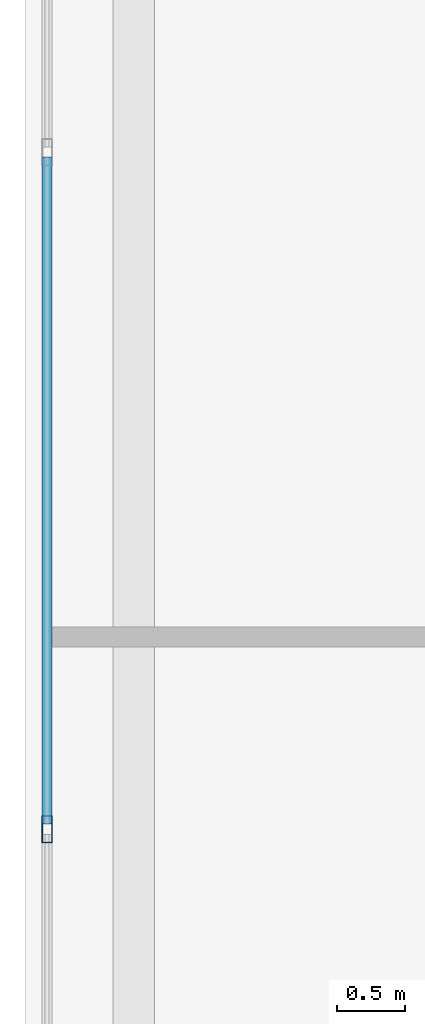
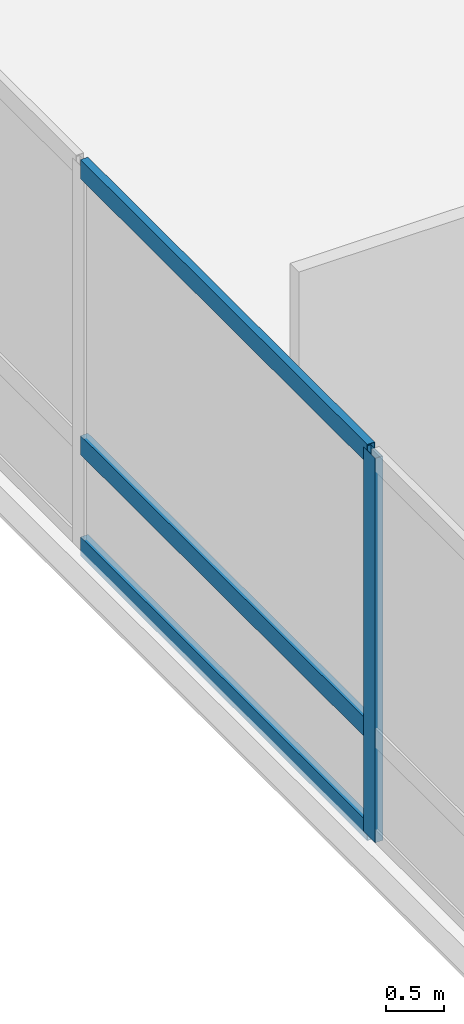
# One storey, part 6 of 31: 4 members, 1 element without a shape of its own.
"""IFC4 building model written with IfcOpenShell, lengths in metres."""

import ifcopenshell
import ifcopenshell.guid

model = None  # the IFC model being written
_history = None  # IfcOwnerHistory: only IFC2X3 demands one
_inside = {}  # id of a spatial element -> (the spatial element, [elements in it])
_under = {}  # id of a project, library or spatial element -> (it, [spatial elements below it])
_declared = {}  # id of a project -> (the project, [libraries it declares])
_typed = {}  # id of a type object -> (the type object, [elements of that type])
_made_of = {}  # id of a material, layer set ... -> (it, [elements and type objects made of it])


def new_model(schema):
    """Start an empty IFC model of exactly this schema.

    Asked for "IFC4X3", IfcOpenShell would pick the latest addendum, in which some entities
    have other attributes; the version numbers below select the first issue.
    IFC2X3 requires an IfcOwnerHistory on every rooted entity: one is made here for all.
    """
    global model, _history
    if schema == "IFC4X3":
        model = ifcopenshell.file(schema_version=(4, 3, 0, 0))
    else:
        model = ifcopenshell.file(schema=schema)
    _inside.clear()
    _under.clear()
    _declared.clear()
    _typed.clear()
    _made_of.clear()
    _history = None
    if model.schema == "IFC2X3":
        org = make("IfcOrganization", Name="unknown")
        user = make(
            "IfcPersonAndOrganization",
            ThePerson=make("IfcPerson", FamilyName="unknown"),
            TheOrganization=org,
        )
        app = make(
            "IfcApplication",
            ApplicationDeveloper=org,
            Version="unknown",
            ApplicationFullName="unknown",
            ApplicationIdentifier="unknown",
        )
        _history = make(
            "IfcOwnerHistory",
            OwningUser=user,
            OwningApplication=app,
            ChangeAction="ADDED",
            CreationDate=0,
        )
    return model


def make(cls, **values):
    """One entity of the class cls with the attributes given. An attribute that is None is left unset."""
    return model.create_entity(
        cls, **{name: value for name, value in values.items() if value is not None}
    )


def rooted(cls, **values):
    """An entity with a GlobalId (a new one), such as an element, a storey or a relation."""
    return make(cls, GlobalId=ifcopenshell.guid.new(), OwnerHistory=_history, **values)


def si_unit(unit_type, name, prefix=None):
    """IfcSIUnit, for example si_unit("LENGTHUNIT", "METRE", prefix="MILLI")."""
    return make("IfcSIUnit", UnitType=unit_type, Prefix=prefix, Name=name)


def assignment(units):
    """IfcUnitAssignment: the units of a project."""
    return None if units is None else make("IfcUnitAssignment", Units=units)


def point(xyz):
    """IfcCartesianPoint."""
    return None if xyz is None else make("IfcCartesianPoint", Coordinates=xyz)


def direction(xyz):
    """IfcDirection."""
    return None if xyz is None else make("IfcDirection", DirectionRatios=xyz)


def frame(location, z_axis=None, x_axis=None):
    """IfcAxis2Placement3D, a coordinate frame: its origin and axes. An axis left out is left unset."""
    return make(
        "IfcAxis2Placement3D",
        Location=point(location),
        Axis=direction(z_axis),
        RefDirection=direction(x_axis),
    )


def frame_2d(location, x_axis=None):
    """IfcAxis2Placement2D, a coordinate frame in the plane: its origin and x axis."""
    return make(
        "IfcAxis2Placement2D", Location=point(location), RefDirection=direction(x_axis)
    )


def origin():
    """The frame at (0, 0, 0) with its axes left unset."""
    return frame((0.0, 0.0, 0.0))


def origin_2d():
    """The frame at (0, 0) in the plane with its x axis left unset."""
    return frame_2d((0.0, 0.0))


def place(relative_to, where):
    """IfcLocalPlacement: puts the frame where relative to a parent placement (None: the world)."""
    return make(
        "IfcLocalPlacement", PlacementRelTo=relative_to, RelativePlacement=where
    )


def context(
    kind, dimensions, precision=None, world=None, true_north=None, identifier=None
):
    """IfcGeometricRepresentationContext, for example the 3D "Model" context."""
    return make(
        "IfcGeometricRepresentationContext",
        ContextIdentifier=identifier,
        ContextType=kind,
        CoordinateSpaceDimension=dimensions,
        Precision=precision,
        WorldCoordinateSystem=world,
        TrueNorth=true_north,
    )


def subcontext(parent, identifier, kind, view, scale=None):
    """IfcGeometricRepresentationSubContext, for example "Body" below "Model"."""
    return make(
        "IfcGeometricRepresentationSubContext",
        ContextIdentifier=identifier,
        ContextType=kind,
        ParentContext=parent,
        TargetScale=scale,
        TargetView=view,
    )


def project(units=None, contexts=None):
    """IfcProject with its units and contexts."""
    return rooted(
        "IfcProject",
        Name="project",
        RepresentationContexts=contexts,
        UnitsInContext=assignment(units),
    )


def spatial(cls, under=None, at=None, **own):
    """A site, building, storey or space (cls), placed at a placement, below another one or the project."""
    s = rooted(cls, ObjectPlacement=at, **own)
    if under is not None:
        _under.setdefault(under.id(), (under, []))[1].append(s)
    return s


def profile(cls, at=None, kind="AREA", **sizes):
    """A parametric profile (cls). Its sizes go by their IFC names, for example OverallWidth=200.0."""
    return make(cls, ProfileType=kind, Position=at, **sizes)


def hollow_rectangle(**sizes):
    """IfcRectangleHollowProfileDef."""
    return profile("IfcRectangleHollowProfileDef", **sizes)


def extrude(swept, where, along, depth):
    """IfcExtrudedAreaSolid: the profile swept, set in the frame where, extruded along a direction by depth."""
    return make(
        "IfcExtrudedAreaSolid",
        SweptArea=swept,
        Position=where,
        ExtrudedDirection=direction(along),
        Depth=depth,
    )


def shape(context_of_items, identifier, shape_type, items):
    """IfcShapeRepresentation: the items that make up one representation, for example the "Body"."""
    return make(
        "IfcShapeRepresentation",
        ContextOfItems=context_of_items,
        RepresentationIdentifier=identifier,
        RepresentationType=shape_type,
        Items=items,
    )


def material(Name=None, Category=None):
    """IfcMaterial."""
    return make("IfcMaterial", Name=Name, Category=Category)


def layer(
    of_material, thickness, ventilated=None, Name=None, Category=None, Priority=None
):
    """IfcMaterialLayer: one layer of a wall or slab, of a material (None: an air gap)."""
    return make(
        "IfcMaterialLayer",
        Material=of_material,
        LayerThickness=thickness,
        IsVentilated=ventilated,
        Name=Name,
        Category=Category,
        Priority=Priority,
    )


def layer_set(layers, Name=None):
    """IfcMaterialLayerSet."""
    return make("IfcMaterialLayerSet", MaterialLayers=layers, LayerSetName=Name)


def material_profile(
    of_material, cross_section, Name=None, Category=None, Priority=None
):
    """IfcMaterialProfile: a cross section and its material."""
    return make(
        "IfcMaterialProfile",
        Name=Name,
        Material=of_material,
        Profile=cross_section,
        Priority=Priority,
        Category=Category,
    )


def profile_set(profiles, Name=None, composite=None):
    """IfcMaterialProfileSet."""
    return make(
        "IfcMaterialProfileSet",
        Name=Name,
        MaterialProfiles=profiles,
        CompositeProfile=composite,
    )


def made_of(thing, what):
    """Note that an element or type object is made of a material, layer set ...; save() writes the relation."""
    if what is not None:
        _made_of.setdefault(what.id(), (what, []))[1].append(thing)
    return thing


def type_object(cls, material=None, **own):
    """A type object (cls), such as IfcWallType, which elements share."""
    return made_of(rooted(cls, **own), material)


def element(
    cls,
    number,
    at=None,
    inside=None,
    cuts=None,
    type_object=None,
    material=None,
    context=None,
    identifier="Body",
    shape_type=None,
    held_by="IfcProductDefinitionShape",
    body=None,
    shapes=None,
    **own,
):
    """One element of the class cls, such as IfcWall. Its Tag is "e" and its number.

    at: its placement. inside: the storey or other place that contains it. cuts: it is an
    opening in that element (IfcRelVoidsElement). A single representation is given by context,
    identifier, shape_type and body (its items); several are given by shapes. held_by: the class
    of the entity that holds the representations. save() writes the other relations.
    """
    e = rooted(cls, Tag="e%d" % number, ObjectPlacement=at, **own)
    if body is not None:
        shapes = [shape(context, identifier, shape_type, body)]
    if shapes is not None:
        e.Representation = make(held_by, Representations=shapes)
    if inside is not None:
        _inside.setdefault(inside.id(), (inside, []))[1].append(e)
    if cuts is not None:
        rooted(
            "IfcRelVoidsElement", RelatingBuildingElement=cuts, RelatedOpeningElement=e
        )
    if type_object is not None:
        _typed.setdefault(type_object.id(), (type_object, []))[1].append(e)
    return made_of(e, material)


def aggregate(whole, parts):
    """IfcRelAggregates: a whole, such as a stair, and the parts it consists of."""
    return rooted("IfcRelAggregates", RelatingObject=whole, RelatedObjects=parts)


def save(model, path):
    """Write the relations noted so far, then the file.

    IfcRelAggregates (storeys below a building ...), IfcRelContainedInSpatialStructure (elements
    in a storey), IfcRelDefinesByType, IfcRelAssociatesMaterial and IfcRelDeclares: one each for
    every whole, place, type object, material and project.
    """
    for whole, parts in _under.values():
        aggregate(whole, parts)
    for where, things in _inside.values():
        rooted(
            "IfcRelContainedInSpatialStructure",
            RelatedElements=things,
            RelatingStructure=where,
        )
    for kind, things in _typed.values():
        rooted("IfcRelDefinesByType", RelatedObjects=things, RelatingType=kind)
    for what, things in _made_of.values():
        rooted("IfcRelAssociatesMaterial", RelatedObjects=things, RelatingMaterial=what)
    for by, libraries in _declared.values():
        rooted("IfcRelDeclares", RelatingContext=by, RelatedDefinitions=libraries)
    model.write(path)


model = new_model("IFC4")

# Units and contexts
model_context = context("Model", 3, precision=1e-05, world=origin(), true_north=direction((0.0, 1.0)))
body_context = subcontext(model_context, "Body", "Model", "MODEL_VIEW")
ifc_project = project(units=[si_unit("LENGTHUNIT", "METRE"), si_unit("AREAUNIT", "SQUARE_METRE"), si_unit("VOLUMEUNIT", "CUBIC_METRE"), si_unit("PLANEANGLEUNIT", "RADIAN"), si_unit("MASSUNIT", "GRAM", prefix="KILO")], contexts=[model_context])

# Site, building, storey
site_placement = place(None, origin())
site = spatial("IfcSite", under=ifc_project, at=site_placement, CompositionType="ELEMENT")
building_placement = place(site_placement, origin())
building = spatial("IfcBuilding", under=site, at=building_placement, Name="Varnelok Gate Tower", CompositionType="ELEMENT")
storey_placement = place(building_placement, frame((0.0, 0.0, 16.199951171875)))
storey = spatial("IfcBuildingStorey", under=building, at=storey_placement, Name="L03", CompositionType="ELEMENT", Elevation=16.199951171875)

# Curtain wall, members
ifc_material = material(Name="Anodized Aluminum Alloy 6063-T6", Category="aluminium")
ifc_layer = layer(ifc_material, 0.179931640625)
ifc_layer_set = layer_set([ifc_layer], Name="Anodized Aluminum Alloy 6063-T6")
curtain_wall_type = type_object("IfcCurtainWallType", Name="CW1-ARCH-PORTAL", PredefinedType="USERDEFINED", material=ifc_layer_set)
curtain_wall_placement = place(storey_placement, origin())
curtain_wall = element("IfcCurtainWall", 1, at=curtain_wall_placement, inside=storey, type_object=curtain_wall_type, Name="L03 Podium Portal Curtain Wall W", ObjectType="UNITISED CURTAIN WALL", PredefinedType="USERDEFINED")
ifc_material_profile_1 = material_profile(ifc_material, hollow_rectangle(XDim=0.074951171875, YDim=0.199951171875, WallThickness=0.00390625, at=origin_2d()), Name="ALU200X75X4")
ifc_profile_set_1 = profile_set([ifc_material_profile_1], Name="Anodized Aluminum Alloy 6063-T6")
member_type_1 = type_object("IfcMemberType", Name="CW-MULL-200", PredefinedType="MULLION", material=ifc_profile_set_1)
member_1_placement = place(storey_placement, frame((0.159912109375, 25.199951171875, 0.0), z_axis=(0.0, 0.0, 1.0), x_axis=(-1.0, 0.0, 0.0)))
member_1 = element("IfcMember", 2, at=member_1_placement, type_object=member_type_1, Name="CW1 mullion 3", PredefinedType="MULLION", context=body_context, shape_type="SweptSolid", body=[
    extrude(hollow_rectangle(XDim=0.074951171875, YDim=0.199951171875, WallThickness=0.00390625, at=origin_2d()), origin(), (0.0, 0.0, 1.0), 4.030029296875),
])
ifc_material_profile_2 = material_profile(ifc_material, hollow_rectangle(XDim=0.074951171875, YDim=0.199951171875, WallThickness=0.00390625, at=origin_2d()), Name="ALU200X75X4")
ifc_profile_set_2 = profile_set([ifc_material_profile_2], Name="Anodized Aluminum Alloy 6063-T6")
member_type_2 = type_object("IfcMemberType", Name="CW-TRAN-200", PredefinedType="USERDEFINED", material=ifc_profile_set_2)
member_2_placement = place(storey_placement, frame((0.159912109375, 25.237548828125, 0.03759765625), z_axis=(0.0, 1.0, 0.0), x_axis=(-1.0, 0.0, 0.0)))
member_2 = element("IfcMember", 3, at=member_2_placement, type_object=member_type_2, Name="CW1 transom 3.1", ObjectType="TRANSOM", PredefinedType="USERDEFINED", context=body_context, shape_type="SweptSolid", body=[
    extrude(hollow_rectangle(XDim=0.074951171875, YDim=0.199951171875, WallThickness=0.00390625, at=origin_2d()), origin(), (0.0, 0.0, 1.0), 4.925048828125),
])
member_3_placement = place(storey_placement, frame((0.159912109375, 25.237548828125, 1.10009765625), z_axis=(0.0, 1.0, 0.0), x_axis=(-1.0, 0.0, 0.0)))
member_3 = element("IfcMember", 4, at=member_3_placement, type_object=member_type_2, Name="CW1 transom 3.2", ObjectType="TRANSOM", PredefinedType="USERDEFINED", context=body_context, shape_type="SweptSolid", body=[
    extrude(hollow_rectangle(XDim=0.074951171875, YDim=0.199951171875, WallThickness=0.00390625, at=origin_2d()), origin(), (0.0, 0.0, 1.0), 4.925048828125),
])
member_4_placement = place(storey_placement, frame((0.159912109375, 25.237548828125, 3.992431640625), z_axis=(0.0, 1.0, 0.0), x_axis=(-1.0, 0.0, 0.0)))
member_4 = element("IfcMember", 5, at=member_4_placement, type_object=member_type_2, Name="CW1 transom 3.3", ObjectType="TRANSOM", PredefinedType="USERDEFINED", context=body_context, shape_type="SweptSolid", body=[
    extrude(hollow_rectangle(XDim=0.074951171875, YDim=0.199951171875, WallThickness=0.00390625, at=origin_2d()), origin(), (0.0, 0.0, 1.0), 4.925048828125),
])
aggregate(curtain_wall, [member_1, member_2, member_3, member_4])

save(model, "model.ifc")
